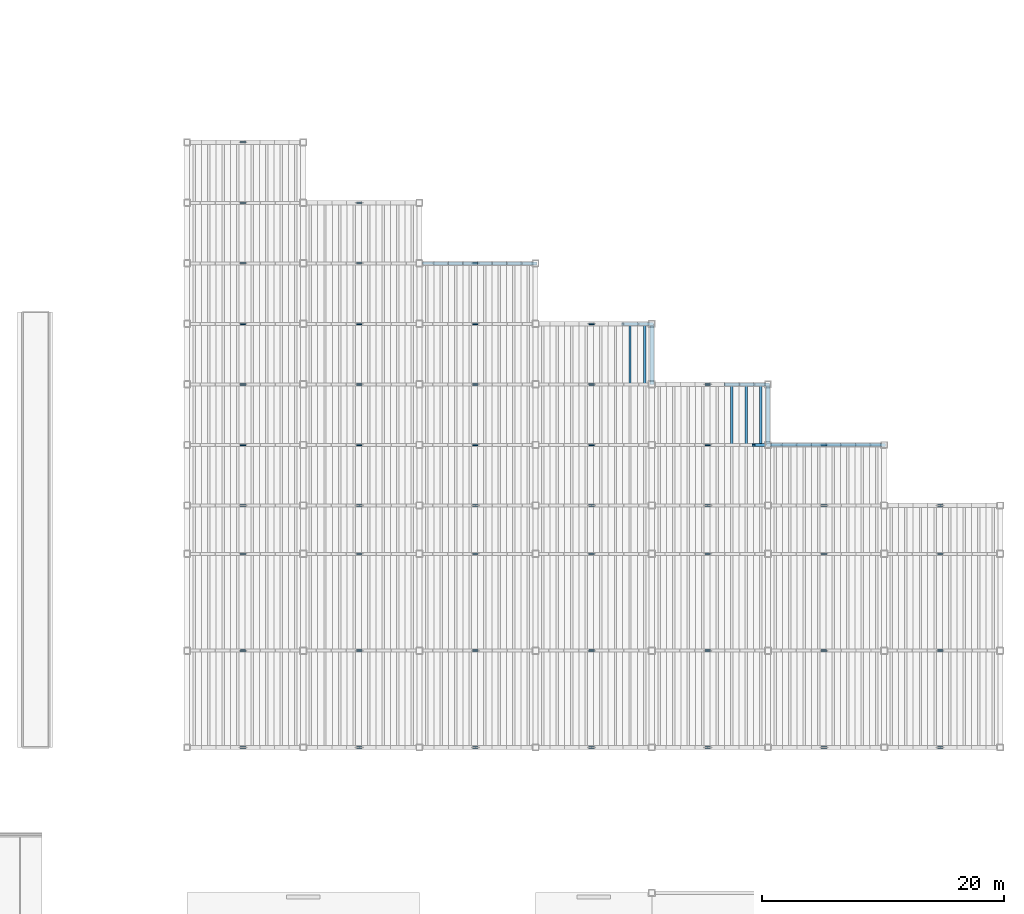
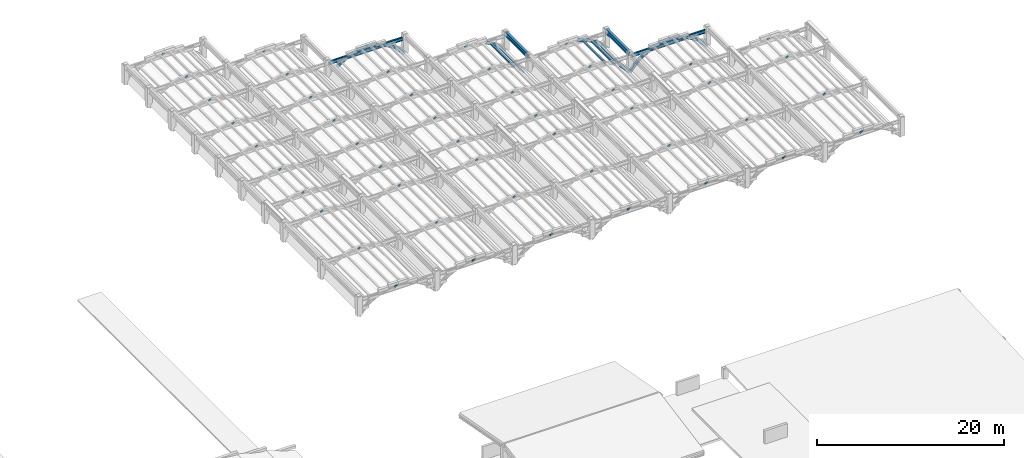
# One storey, part 29 of 70: 75 members, 4 beams.
"""IFC4 building model written with IfcOpenShell, lengths in metres."""

from ifc_helpers import new_model, si_unit, direction, frame, origin, origin_2d, place, context, subcontext, project, spatial, hollow_rectangle, i_section, extrude, material, material_profile, profile_set, type_object, element, save


model = new_model("IFC4")

# Units and contexts
model_context = context("Model", 3, precision=1e-05, world=origin(), true_north=direction((0.0, 1.0)))
body_context = subcontext(model_context, "Body", "Model", "MODEL_VIEW")
ifc_project = project(units=[si_unit("LENGTHUNIT", "METRE"), si_unit("AREAUNIT", "SQUARE_METRE"), si_unit("VOLUMEUNIT", "CUBIC_METRE"), si_unit("PLANEANGLEUNIT", "RADIAN"), si_unit("MASSUNIT", "GRAM", prefix="KILO")], contexts=[model_context])

# Site, building, storey
site_placement = place(None, origin())
site = spatial("IfcSite", under=ifc_project, at=site_placement, CompositionType="ELEMENT")
building_placement = place(site_placement, origin())
building = spatial("IfcBuilding", under=site, at=building_placement, Name="Mavantir Sound Aquarium", CompositionType="ELEMENT")
storey_placement = place(building_placement, frame((0.0, 0.0, 27.0)))
storey = spatial("IfcBuildingStorey", under=building, at=storey_placement, Name="RF", CompositionType="ELEMENT", Elevation=27.0)

# Beams
ifc_material_1 = material(Name="Structural Steel ASTM A992 Gr50", Category="steel")
ifc_material_profile_1 = material_profile(ifc_material_1, i_section(OverallWidth=0.194091796875, OverallDepth=0.468994140625, WebThickness=0.0126953125, FlangeThickness=0.0205078125, FilletRadius=0.01611328125, at=origin_2d()), Name="W460X106")
ifc_profile_set_1 = profile_set([ifc_material_profile_1], Name="Structural Steel ASTM A992 Gr50")
beam_type_1 = type_object("IfcBeamType", Name="BM-W460X106-I", PredefinedType="BEAM", material=ifc_profile_set_1)
for number, where, z_axis, x_axis, name in (
    (1, (127.449951171875, 80.800048828125, -5.327392578125), (1.0, 0.0, 0.0), (0.0, 1.0, 0.0), "Scalloped bay 3 transverse tie girder 261"),
    (2, (156.25, 65.800048828125, -5.327392578125), (1.0, 0.0, 0.0), (0.0, 1.0, 0.0), "Scalloped bay 6 transverse tie girder 441"),
):
    element("IfcBeam", number, at=place(storey_placement, frame(where, z_axis=z_axis, x_axis=x_axis)), inside=storey, type_object=beam_type_1, Name=name, PredefinedType="BEAM", context=body_context, shape_type="SweptSolid", body=[
        extrude(i_section(OverallWidth=0.194091796875, OverallDepth=0.468994140625, WebThickness=0.0126953125, FlangeThickness=0.0205078125, FilletRadius=0.01611328125, at=origin_2d()), origin(), (0.0, 0.0, 1.0), 9.10009765625),
    ])
ifc_material_profile_2 = material_profile(ifc_material_1, i_section(OverallWidth=0.323974609375, OverallDepth=0.611083984375, WebThickness=0.0126953125, FlangeThickness=0.01904296875, FilletRadius=0.01904296875, at=origin_2d()), Name="W610X155")
ifc_profile_set_2 = profile_set([ifc_material_profile_2], Name="Structural Steel ASTM A992 Gr50")
beam_type_2 = type_object("IfcBeamType", Name="BM-W610X155-E", PredefinedType="BEAM", material=ifc_profile_set_2)
for number, where, z_axis, x_axis, name in (
    (3, (146.39990234375, 70.800048828125, -5.0048828125), (0.0, 1.0, 0.0), (-1.0, 0.0, 0.0), "Scalloped roof straight ridge beam 39"),
    (4, (156.0, 65.800048828125, -5.0048828125), (0.0, 1.0, 0.0), (-1.0, 0.0, 0.0), "Scalloped roof straight ridge beam 44"),
):
    element("IfcBeam", number, at=place(storey_placement, frame(where, z_axis=z_axis, x_axis=x_axis)), inside=storey, type_object=beam_type_2, Name=name, PredefinedType="BEAM", context=body_context, shape_type="SweptSolid", body=[
        extrude(i_section(OverallWidth=0.323974609375, OverallDepth=0.611083984375, WebThickness=0.0126953125, FlangeThickness=0.01904296875, FilletRadius=0.01904296875, at=origin_2d()), origin(), (0.0, 0.0, 1.0), 5.0),
    ])

# Members
ifc_material_2 = material(Name="Hollow Structural Steel ASTM A500 GrC", Category="steel")
ifc_material_profile_3 = material_profile(ifc_material_2, hollow_rectangle(XDim=0.14990234375, YDim=0.199951171875, WallThickness=0.010009765625, InnerFilletRadius=0.010009765625, OuterFilletRadius=0.02001953125, at=origin_2d()), Name="RHS 200X150X10")
ifc_profile_set_3 = profile_set([ifc_material_profile_3], Name="Hollow Structural Steel ASTM A500 GrC")
member_type_1 = type_object("IfcMemberType", Name="MEM-BR-RHS200", PredefinedType="BRACE", material=ifc_profile_set_3)
for number, where, z_axis, x_axis, name in (
    (5, (112.449951171875, 40.800048828125, -5.14306640625), (0.79558452369, 0.0, 0.605842607998), (0.0, 1.0, 0.0), "Steel truss web brace 7"),
    (6, (112.449951171875, 48.800048828125, -5.14306640625), (0.79558452369, 0.0, 0.605842607998), (0.0, 1.0, 0.0), "Steel truss web brace 17"),
    (7, (112.449951171875, 56.800048828125, -5.14306640625), (0.79558452369, 0.0, 0.605842607998), (0.0, 1.0, 0.0), "Steel truss web brace 27"),
    (8, (112.449951171875, 60.800048828125, -5.14306640625), (0.79558452369, 0.0, 0.605842607998), (0.0, 1.0, 0.0), "Steel truss web brace 37"),
    (9, (112.449951171875, 65.800048828125, -5.14306640625), (0.79558452369, 0.0, 0.605842607998), (0.0, 1.0, 0.0), "Steel truss web brace 47"),
    (10, (112.449951171875, 70.800048828125, -5.14306640625), (0.79558452369, 0.0, 0.605842607998), (0.0, 1.0, 0.0), "Steel truss web brace 57"),
    (11, (112.449951171875, 75.800048828125, -5.14306640625), (0.79558452369, 0.0, 0.605842607998), (0.0, 1.0, 0.0), "Steel truss web brace 67"),
    (12, (112.449951171875, 80.800048828125, -5.14306640625), (0.79558452369, 0.0, 0.605842607998), (0.0, 1.0, 0.0), "Steel truss web brace 77"),
    (13, (112.449951171875, 85.800048828125, -5.14306640625), (0.79558452369, 0.0, 0.605842607998), (0.0, 1.0, 0.0), "Steel truss web brace 87"),
    (14, (112.449951171875, 90.800048828125, -5.14306640625), (0.79558452369, 0.0, 0.605842607998), (0.0, 1.0, 0.0), "Steel truss web brace 97"),
    (15, (122.050048828125, 40.800048828125, -5.14306640625), (0.795380751744, 0.0, 0.606110105307), (0.0, 1.0, 0.0), "Steel truss web brace 107"),
    (16, (122.050048828125, 48.800048828125, -5.14306640625), (0.795380751744, 0.0, 0.606110105307), (0.0, 1.0, 0.0), "Steel truss web brace 117"),
    (17, (122.050048828125, 56.800048828125, -5.14306640625), (0.795380751744, 0.0, 0.606110105307), (0.0, 1.0, 0.0), "Steel truss web brace 127"),
    (18, (122.050048828125, 60.800048828125, -5.14306640625), (0.795380751744, 0.0, 0.606110105307), (0.0, 1.0, 0.0), "Steel truss web brace 137"),
    (19, (122.050048828125, 65.800048828125, -5.14306640625), (0.795380751744, 0.0, 0.606110105307), (0.0, 1.0, 0.0), "Steel truss web brace 147"),
    (20, (122.050048828125, 70.800048828125, -5.14306640625), (0.795380751744, 0.0, 0.606110105307), (0.0, 1.0, 0.0), "Steel truss web brace 157"),
    (21, (122.050048828125, 75.800048828125, -5.14306640625), (0.795380751744, 0.0, 0.606110105307), (0.0, 1.0, 0.0), "Steel truss web brace 167"),
    (22, (122.050048828125, 80.800048828125, -5.14306640625), (0.795380751744, 0.0, 0.606110105307), (0.0, 1.0, 0.0), "Steel truss web brace 177"),
    (23, (122.050048828125, 85.800048828125, -5.14306640625), (0.795380751744, 0.0, 0.606110105307), (0.0, 1.0, 0.0), "Steel truss web brace 187"),
    (24, (131.64990234375, 40.800048828125, -5.14306640625), (0.79558452369, 0.0, 0.605842607998), (0.0, 1.0, 0.0), "Steel truss web brace 197"),
    (25, (131.64990234375, 48.800048828125, -5.14306640625), (0.79558452369, 0.0, 0.605842607998), (0.0, 1.0, 0.0), "Steel truss web brace 207"),
    (26, (131.64990234375, 56.800048828125, -5.14306640625), (0.79558452369, 0.0, 0.605842607998), (0.0, 1.0, 0.0), "Steel truss web brace 217"),
    (27, (131.64990234375, 60.800048828125, -5.14306640625), (0.79558452369, 0.0, 0.605842607998), (0.0, 1.0, 0.0), "Steel truss web brace 227"),
    (28, (131.64990234375, 65.800048828125, -5.14306640625), (0.79558452369, 0.0, 0.605842607998), (0.0, 1.0, 0.0), "Steel truss web brace 237"),
    (29, (131.64990234375, 70.800048828125, -5.14306640625), (0.79558452369, 0.0, 0.605842607998), (0.0, 1.0, 0.0), "Steel truss web brace 247"),
    (30, (131.64990234375, 75.800048828125, -5.14306640625), (0.79558452369, 0.0, 0.605842607998), (0.0, 1.0, 0.0), "Steel truss web brace 257"),
    (31, (131.64990234375, 80.800048828125, -5.14306640625), (0.79558452369, 0.0, 0.605842607998), (0.0, 1.0, 0.0), "Steel truss web brace 267"),
    (32, (141.25, 40.800048828125, -5.14306640625), (0.79558452369, 0.0, 0.605842607998), (0.0, 1.0, 0.0), "Steel truss web brace 277"),
    (33, (141.25, 48.800048828125, -5.14306640625), (0.79558452369, 0.0, 0.605842607998), (0.0, 1.0, 0.0), "Steel truss web brace 287"),
    (34, (141.25, 56.800048828125, -5.14306640625), (0.79558452369, 0.0, 0.605842607998), (0.0, 1.0, 0.0), "Steel truss web brace 297"),
    (35, (141.25, 60.800048828125, -5.14306640625), (0.79558452369, 0.0, 0.605842607998), (0.0, 1.0, 0.0), "Steel truss web brace 307"),
    (36, (141.25, 65.800048828125, -5.14306640625), (0.79558452369, 0.0, 0.605842607998), (0.0, 1.0, 0.0), "Steel truss web brace 317"),
    (37, (141.25, 70.800048828125, -5.14306640625), (0.79558452369, 0.0, 0.605842607998), (0.0, 1.0, 0.0), "Steel truss web brace 327"),
    (38, (141.25, 75.800048828125, -5.14306640625), (0.79558452369, 0.0, 0.605842607998), (0.0, 1.0, 0.0), "Steel truss web brace 337"),
    (39, (150.85009765625, 40.800048828125, -5.14306640625), (0.795380751744, 0.0, 0.606110105307), (0.0, 1.0, 0.0), "Steel truss web brace 347"),
    (40, (150.85009765625, 48.800048828125, -5.14306640625), (0.795380751744, 0.0, 0.606110105307), (0.0, 1.0, 0.0), "Steel truss web brace 357"),
    (41, (150.85009765625, 56.800048828125, -5.14306640625), (0.795380751744, 0.0, 0.606110105307), (0.0, 1.0, 0.0), "Steel truss web brace 367"),
    (42, (150.85009765625, 60.800048828125, -5.14306640625), (0.795380751744, 0.0, 0.606110105307), (0.0, 1.0, 0.0), "Steel truss web brace 377"),
    (43, (150.85009765625, 65.800048828125, -5.14306640625), (0.795380751744, 0.0, 0.606110105307), (0.0, 1.0, 0.0), "Steel truss web brace 387"),
    (44, (150.85009765625, 70.800048828125, -5.14306640625), (0.795380751744, 0.0, 0.606110105307), (0.0, 1.0, 0.0), "Steel truss web brace 397"),
    (45, (160.449951171875, 40.800048828125, -5.14306640625), (0.79558452369, 0.0, 0.605842607998), (0.0, 1.0, 0.0), "Steel truss web brace 407"),
    (46, (160.449951171875, 48.800048828125, -5.14306640625), (0.79558452369, 0.0, 0.605842607998), (0.0, 1.0, 0.0), "Steel truss web brace 417"),
    (47, (160.449951171875, 56.800048828125, -5.14306640625), (0.79558452369, 0.0, 0.605842607998), (0.0, 1.0, 0.0), "Steel truss web brace 427"),
    (48, (160.449951171875, 60.800048828125, -5.14306640625), (0.79558452369, 0.0, 0.605842607998), (0.0, 1.0, 0.0), "Steel truss web brace 437"),
    (49, (160.449951171875, 65.800048828125, -5.14306640625), (0.79558452369, 0.0, 0.605842607998), (0.0, 1.0, 0.0), "Steel truss web brace 447"),
    (50, (170.050048828125, 40.800048828125, -5.14306640625), (0.795380751744, 0.0, 0.606110105307), (0.0, 1.0, 0.0), "Steel truss web brace 457"),
    (51, (170.050048828125, 48.800048828125, -5.14306640625), (0.795380751744, 0.0, 0.606110105307), (0.0, 1.0, 0.0), "Steel truss web brace 467"),
    (52, (170.050048828125, 56.800048828125, -5.14306640625), (0.795380751744, 0.0, 0.606110105307), (0.0, 1.0, 0.0), "Steel truss web brace 477"),
    (53, (170.050048828125, 60.800048828125, -5.14306640625), (0.795380751744, 0.0, 0.606110105307), (0.0, 1.0, 0.0), "Steel truss web brace 487"),
):
    element("IfcMember", number, at=place(storey_placement, frame(where, z_axis=z_axis, x_axis=x_axis)), inside=storey, type_object=member_type_1, Name=name, PredefinedType="BRACE", context=body_context, shape_type="SweptSolid", body=[
        extrude(hollow_rectangle(XDim=0.14990234375, YDim=0.199951171875, WallThickness=0.010009765625, InnerFilletRadius=0.010009765625, OuterFilletRadius=0.02001953125, at=origin_2d()), origin(), (0.0, 0.0, 1.0), 0.43994140625),
    ])
ifc_material_profile_4 = material_profile(ifc_material_1, i_section(OverallWidth=0.202880859375, OverallDepth=0.202880859375, WebThickness=0.007080078125, FlangeThickness=0.010986328125, FilletRadius=0.010009765625, at=origin_2d()), Name="W200X46")
ifc_profile_set_4 = profile_set([ifc_material_profile_4], Name="Structural Steel ASTM A992 Gr50")
member_type_2 = type_object("IfcMemberType", Name="MEM-TR-W200", PredefinedType="PURLIN", material=ifc_profile_set_4)
for number, where, z_axis, x_axis, name in (
    (54, (145.800048828125, 70.800048828125, -6.881103515625), (0.0, 1.0, 0.0), (-1.0, 0.0, 0.0), "Scalloped bay 4 roof purlin 240"),
    (55, (153.0, 65.800048828125, -5.169921875), (0.0, 1.0, 0.0), (-1.0, 0.0, 0.0), "Scalloped bay 5 roof purlin 278"),
    (56, (155.39990234375, 65.800048828125, -6.881103515625), (0.0, 1.0, 0.0), (-1.0, 0.0, 0.0), "Scalloped bay 5 roof purlin 280"),
):
    element("IfcMember", number, at=place(storey_placement, frame(where, z_axis=z_axis, x_axis=x_axis)), inside=storey, type_object=member_type_2, Name=name, PredefinedType="PURLIN", context=body_context, shape_type="SweptSolid", body=[
        extrude(i_section(OverallWidth=0.202880859375, OverallDepth=0.202880859375, WebThickness=0.007080078125, FlangeThickness=0.010986328125, FilletRadius=0.010009765625, at=origin_2d()), origin(), (0.0, 0.0, 1.0), 5.0),
    ])
ifc_material_profile_5 = material_profile(ifc_material_1, i_section(OverallWidth=0.202880859375, OverallDepth=0.251953125, WebThickness=0.008056640625, FlangeThickness=0.013427734375, FilletRadius=0.011962890625, at=origin_2d()), Name="W250X58")
ifc_profile_set_5 = profile_set([ifc_material_profile_5], Name="Structural Steel ASTM A992 Gr50")
member_type_3 = type_object("IfcMemberType", Name="MEM-TR-W250", PredefinedType="PURLIN", material=ifc_profile_set_5)
for number, where, z_axis, x_axis, name in (
    (57, (144.60009765625, 70.800048828125, -5.804443359375), (0.0, 1.0, 0.0), (-1.0, 0.0, 0.0), "Scalloped bay 4 roof purlin 239"),
    (58, (154.199951171875, 65.800048828125, -5.804443359375), (0.0, 1.0, 0.0), (-1.0, 0.0, 0.0), "Scalloped bay 5 roof purlin 279"),
):
    element("IfcMember", number, at=place(storey_placement, frame(where, z_axis=z_axis, x_axis=x_axis)), inside=storey, type_object=member_type_3, Name=name, PredefinedType="PURLIN", context=body_context, shape_type="SweptSolid", body=[
        extrude(i_section(OverallWidth=0.202880859375, OverallDepth=0.251953125, WebThickness=0.008056640625, FlangeThickness=0.013427734375, FilletRadius=0.011962890625, at=origin_2d()), origin(), (0.0, 0.0, 1.0), 5.0),
    ])
ifc_material_profile_6 = material_profile(ifc_material_1, i_section(OverallWidth=0.25390625, OverallDepth=0.35302734375, WebThickness=0.009521484375, FlangeThickness=0.016357421875, FilletRadius=0.014892578125, at=origin_2d()), Name="W360X91")
ifc_profile_set_6 = profile_set([ifc_material_profile_6], Name="Structural Steel ASTM A992 Gr50")
member_type_4 = type_object("IfcMemberType", Name="MEM-TR-W360", PredefinedType="RAFTER", material=ifc_profile_set_6)
member_1_placement = place(storey_placement, frame((128.39990234375, 80.800048828125, -6.11328125), z_axis=(0.856692316174, 0.0, 0.515827757501), x_axis=(0.0, 1.0, 0.0)))
element("IfcMember", 59, at=member_1_placement, inside=storey, type_object=member_type_4, Name="Scalloped bay 3 sagging-arc trough rib 263", PredefinedType="RAFTER", context=body_context, shape_type="SweptSolid", body=[
    extrude(i_section(OverallWidth=0.25390625, OverallDepth=0.35302734375, WebThickness=0.009521484375, FlangeThickness=0.016357421875, FilletRadius=0.014892578125, at=origin_2d()), origin(), (0.0, 0.0, 1.0), 1.40087890625),
])
member_2_placement = place(storey_placement, frame((129.60009765625, 80.800048828125, -5.390625), z_axis=(0.951055396379, 0.0, 0.309020441102), x_axis=(0.0, 1.0, 0.0)))
element("IfcMember", 60, at=member_2_placement, inside=storey, type_object=member_type_4, Name="Scalloped bay 3 sagging-arc trough rib 264", PredefinedType="RAFTER", context=body_context, shape_type="SweptSolid", body=[
    extrude(i_section(OverallWidth=0.25390625, OverallDepth=0.35302734375, WebThickness=0.009521484375, FlangeThickness=0.016357421875, FilletRadius=0.014892578125, at=origin_2d()), origin(), (0.0, 0.0, 1.0), 1.26171875),
])
for number, where, z_axis, x_axis, name in (
    (61, (130.800048828125, 80.800048828125, -5.000732421875), (0.994680359373, 0.0, 0.103009624196), (0.0, 1.0, 0.0), "Scalloped bay 3 sagging-arc trough rib 265"),
    (62, (132.0, 80.800048828125, -4.87646484375), (0.994680359373, 0.0, -0.103009624196), (0.0, 1.0, 0.0), "Scalloped bay 3 sagging-arc trough rib 266"),
):
    element("IfcMember", number, at=place(storey_placement, frame(where, z_axis=z_axis, x_axis=x_axis)), inside=storey, type_object=member_type_4, Name=name, PredefinedType="RAFTER", context=body_context, shape_type="SweptSolid", body=[
        extrude(i_section(OverallWidth=0.25390625, OverallDepth=0.35302734375, WebThickness=0.009521484375, FlangeThickness=0.016357421875, FilletRadius=0.014892578125, at=origin_2d()), origin(), (0.0, 0.0, 1.0), 1.206298828125),
    ])
member_3_placement = place(storey_placement, frame((133.199951171875, 80.800048828125, -5.000732421875), z_axis=(0.951055396379, 0.0, -0.309020441102), x_axis=(0.0, 1.0, 0.0)))
element("IfcMember", 63, at=member_3_placement, inside=storey, type_object=member_type_4, Name="Scalloped bay 3 sagging-arc trough rib 268", PredefinedType="RAFTER", context=body_context, shape_type="SweptSolid", body=[
    extrude(i_section(OverallWidth=0.25390625, OverallDepth=0.35302734375, WebThickness=0.009521484375, FlangeThickness=0.016357421875, FilletRadius=0.014892578125, at=origin_2d()), origin(), (0.0, 0.0, 1.0), 1.26171875),
])
member_4_placement = place(storey_placement, frame((134.39990234375, 80.800048828125, -5.390625), z_axis=(0.856692316174, 0.0, -0.515827757501), x_axis=(0.0, 1.0, 0.0)))
element("IfcMember", 64, at=member_4_placement, inside=storey, type_object=member_type_4, Name="Scalloped bay 3 sagging-arc trough rib 269", PredefinedType="RAFTER", context=body_context, shape_type="SweptSolid", body=[
    extrude(i_section(OverallWidth=0.25390625, OverallDepth=0.35302734375, WebThickness=0.009521484375, FlangeThickness=0.016357421875, FilletRadius=0.014892578125, at=origin_2d()), origin(), (0.0, 0.0, 1.0), 1.40087890625),
])
member_5_placement = place(storey_placement, frame((135.60009765625, 80.800048828125, -6.11328125), z_axis=(0.688727365252, 0.0, -0.725020424784), x_axis=(0.0, 1.0, 0.0)))
element("IfcMember", 65, at=member_5_placement, inside=storey, type_object=member_type_4, Name="Scalloped bay 3 sagging-arc trough rib 270", PredefinedType="RAFTER", context=body_context, shape_type="SweptSolid", body=[
    extrude(i_section(OverallWidth=0.25390625, OverallDepth=0.35302734375, WebThickness=0.009521484375, FlangeThickness=0.016357421875, FilletRadius=0.014892578125, at=origin_2d()), origin(), (0.0, 0.0, 1.0), 1.7421875),
])
member_6_placement = place(storey_placement, frame((144.0, 75.800048828125, -5.390625), z_axis=(0.856645937356, 0.0, -0.515904776109), x_axis=(0.0, 1.0, 0.0)))
element("IfcMember", 66, at=member_6_placement, inside=storey, type_object=member_type_4, Name="Scalloped bay 4 sagging-arc trough rib 339", PredefinedType="RAFTER", context=body_context, shape_type="SweptSolid", body=[
    extrude(i_section(OverallWidth=0.25390625, OverallDepth=0.35302734375, WebThickness=0.009521484375, FlangeThickness=0.016357421875, FilletRadius=0.014892578125, at=origin_2d()), origin(), (0.0, 0.0, 1.0), 1.400634765625),
])
for number, where, z_axis, x_axis, name in (
    (67, (145.199951171875, 75.800048828125, -6.11328125), (0.688727365252, 0.0, -0.725020424784), (0.0, 1.0, 0.0), "Scalloped bay 4 sagging-arc trough rib 340"),
    (68, (154.800048828125, 65.800048828125, -6.11328125), (0.688727365252, 0.0, -0.725020424784), (0.0, 1.0, 0.0), "Scalloped bay 5 sagging-arc trough rib 390"),
):
    element("IfcMember", number, at=place(storey_placement, frame(where, z_axis=z_axis, x_axis=x_axis)), inside=storey, type_object=member_type_4, Name=name, PredefinedType="RAFTER", context=body_context, shape_type="SweptSolid", body=[
        extrude(i_section(OverallWidth=0.25390625, OverallDepth=0.35302734375, WebThickness=0.009521484375, FlangeThickness=0.016357421875, FilletRadius=0.014892578125, at=origin_2d()), origin(), (0.0, 0.0, 1.0), 1.7421875),
    ])
member_7_placement = place(storey_placement, frame((152.39990234375, 70.800048828125, -5.000732421875), z_axis=(0.951073869353, 0.0, -0.30896358205), x_axis=(0.0, 1.0, 0.0)))
element("IfcMember", 69, at=member_7_placement, inside=storey, type_object=member_type_4, Name="Scalloped bay 5 sagging-arc trough rib 398", PredefinedType="RAFTER", context=body_context, shape_type="SweptSolid", body=[
    extrude(i_section(OverallWidth=0.25390625, OverallDepth=0.35302734375, WebThickness=0.009521484375, FlangeThickness=0.016357421875, FilletRadius=0.014892578125, at=origin_2d()), origin(), (0.0, 0.0, 1.0), 1.261962890625),
])
member_8_placement = place(storey_placement, frame((153.60009765625, 70.800048828125, -5.390625), z_axis=(0.856645937356, 0.0, -0.515904776109), x_axis=(0.0, 1.0, 0.0)))
element("IfcMember", 70, at=member_8_placement, inside=storey, type_object=member_type_4, Name="Scalloped bay 5 sagging-arc trough rib 399", PredefinedType="RAFTER", context=body_context, shape_type="SweptSolid", body=[
    extrude(i_section(OverallWidth=0.25390625, OverallDepth=0.35302734375, WebThickness=0.009521484375, FlangeThickness=0.016357421875, FilletRadius=0.014892578125, at=origin_2d()), origin(), (0.0, 0.0, 1.0), 1.400634765625),
])
for number, where, z_axis, x_axis, name in (
    (71, (154.800048828125, 70.800048828125, -6.11328125), (0.688727365252, 0.0, -0.725020424784), (0.0, 1.0, 0.0), "Scalloped bay 5 sagging-arc trough rib 400"),
    (72, (156.0, 65.800048828125, -7.37646484375), (0.688727365252, 0.0, 0.725020424784), (0.0, 1.0, 0.0), "Scalloped bay 6 sagging-arc trough rib 442"),
):
    element("IfcMember", number, at=place(storey_placement, frame(where, z_axis=z_axis, x_axis=x_axis)), inside=storey, type_object=member_type_4, Name=name, PredefinedType="RAFTER", context=body_context, shape_type="SweptSolid", body=[
        extrude(i_section(OverallWidth=0.25390625, OverallDepth=0.35302734375, WebThickness=0.009521484375, FlangeThickness=0.016357421875, FilletRadius=0.014892578125, at=origin_2d()), origin(), (0.0, 0.0, 1.0), 1.7421875),
    ])
member_9_placement = place(storey_placement, frame((157.199951171875, 65.800048828125, -6.11328125), z_axis=(0.856645937356, 0.0, 0.515904776109), x_axis=(0.0, 1.0, 0.0)))
element("IfcMember", 73, at=member_9_placement, inside=storey, type_object=member_type_4, Name="Scalloped bay 6 sagging-arc trough rib 443", PredefinedType="RAFTER", context=body_context, shape_type="SweptSolid", body=[
    extrude(i_section(OverallWidth=0.25390625, OverallDepth=0.35302734375, WebThickness=0.009521484375, FlangeThickness=0.016357421875, FilletRadius=0.014892578125, at=origin_2d()), origin(), (0.0, 0.0, 1.0), 1.400634765625),
])
member_10_placement = place(storey_placement, frame((158.39990234375, 65.800048828125, -5.390625), z_axis=(0.951073869353, 0.0, 0.30896358205), x_axis=(0.0, 1.0, 0.0)))
element("IfcMember", 74, at=member_10_placement, inside=storey, type_object=member_type_4, Name="Scalloped bay 6 sagging-arc trough rib 444", PredefinedType="RAFTER", context=body_context, shape_type="SweptSolid", body=[
    extrude(i_section(OverallWidth=0.25390625, OverallDepth=0.35302734375, WebThickness=0.009521484375, FlangeThickness=0.016357421875, FilletRadius=0.014892578125, at=origin_2d()), origin(), (0.0, 0.0, 1.0), 1.261962890625),
])
for number, where, z_axis, x_axis, name in (
    (75, (159.60009765625, 65.800048828125, -5.000732421875), (0.994680359373, 0.0, 0.103009624196), (0.0, 1.0, 0.0), "Scalloped bay 6 sagging-arc trough rib 445"),
    (76, (160.800048828125, 65.800048828125, -4.87646484375), (0.994680359373, 0.0, -0.103009624196), (0.0, 1.0, 0.0), "Scalloped bay 6 sagging-arc trough rib 446"),
):
    element("IfcMember", number, at=place(storey_placement, frame(where, z_axis=z_axis, x_axis=x_axis)), inside=storey, type_object=member_type_4, Name=name, PredefinedType="RAFTER", context=body_context, shape_type="SweptSolid", body=[
        extrude(i_section(OverallWidth=0.25390625, OverallDepth=0.35302734375, WebThickness=0.009521484375, FlangeThickness=0.016357421875, FilletRadius=0.014892578125, at=origin_2d()), origin(), (0.0, 0.0, 1.0), 1.206298828125),
    ])
member_11_placement = place(storey_placement, frame((162.0, 65.800048828125, -5.000732421875), z_axis=(0.951055396379, 0.0, -0.309020441102), x_axis=(0.0, 1.0, 0.0)))
element("IfcMember", 77, at=member_11_placement, inside=storey, type_object=member_type_4, Name="Scalloped bay 6 sagging-arc trough rib 448", PredefinedType="RAFTER", context=body_context, shape_type="SweptSolid", body=[
    extrude(i_section(OverallWidth=0.25390625, OverallDepth=0.35302734375, WebThickness=0.009521484375, FlangeThickness=0.016357421875, FilletRadius=0.014892578125, at=origin_2d()), origin(), (0.0, 0.0, 1.0), 1.26171875),
])
member_12_placement = place(storey_placement, frame((163.199951171875, 65.800048828125, -5.390625), z_axis=(0.856645937356, 0.0, -0.515904776109), x_axis=(0.0, 1.0, 0.0)))
element("IfcMember", 78, at=member_12_placement, inside=storey, type_object=member_type_4, Name="Scalloped bay 6 sagging-arc trough rib 449", PredefinedType="RAFTER", context=body_context, shape_type="SweptSolid", body=[
    extrude(i_section(OverallWidth=0.25390625, OverallDepth=0.35302734375, WebThickness=0.009521484375, FlangeThickness=0.016357421875, FilletRadius=0.014892578125, at=origin_2d()), origin(), (0.0, 0.0, 1.0), 1.400634765625),
])
member_13_placement = place(storey_placement, frame((164.39990234375, 65.800048828125, -6.11328125), z_axis=(0.688801013332, 0.0, -0.724950456261), x_axis=(0.0, 1.0, 0.0)))
element("IfcMember", 79, at=member_13_placement, inside=storey, type_object=member_type_4, Name="Scalloped bay 6 sagging-arc trough rib 450", PredefinedType="RAFTER", context=body_context, shape_type="SweptSolid", body=[
    extrude(i_section(OverallWidth=0.25390625, OverallDepth=0.35302734375, WebThickness=0.009521484375, FlangeThickness=0.016357421875, FilletRadius=0.014892578125, at=origin_2d()), origin(), (0.0, 0.0, 1.0), 1.742431640625),
])

save(model, "model.ifc")
